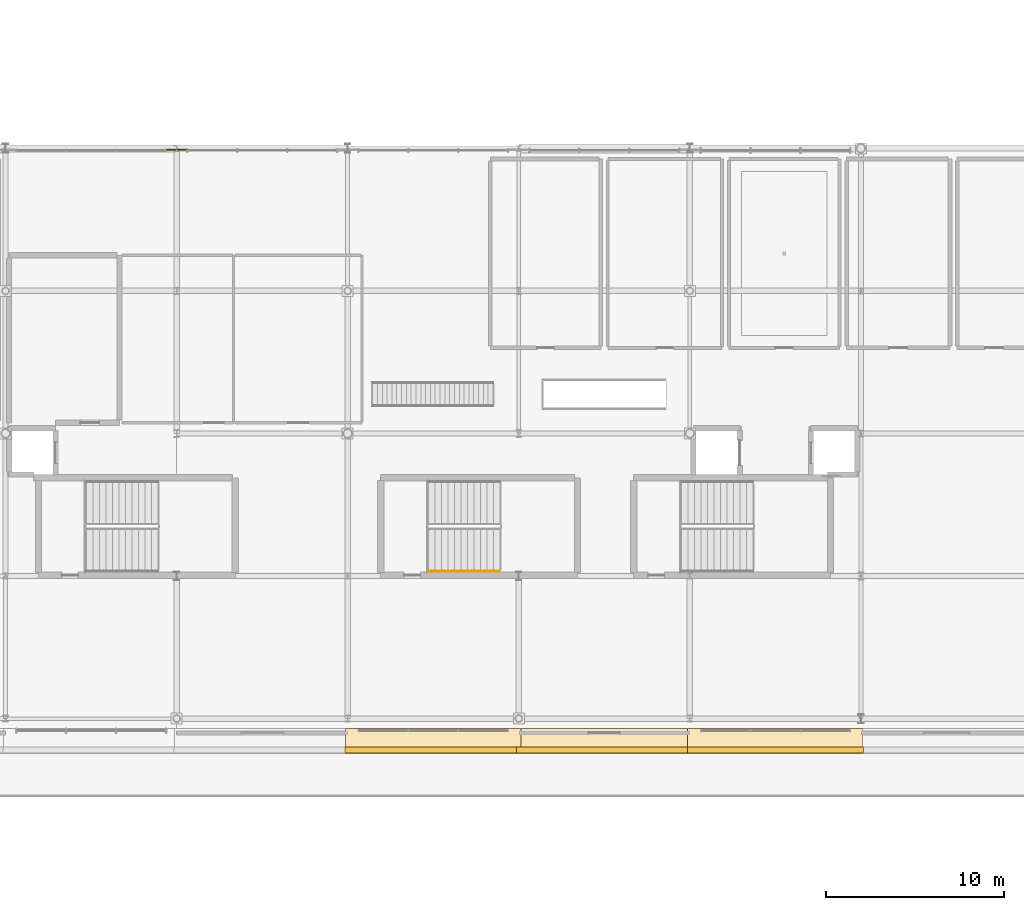
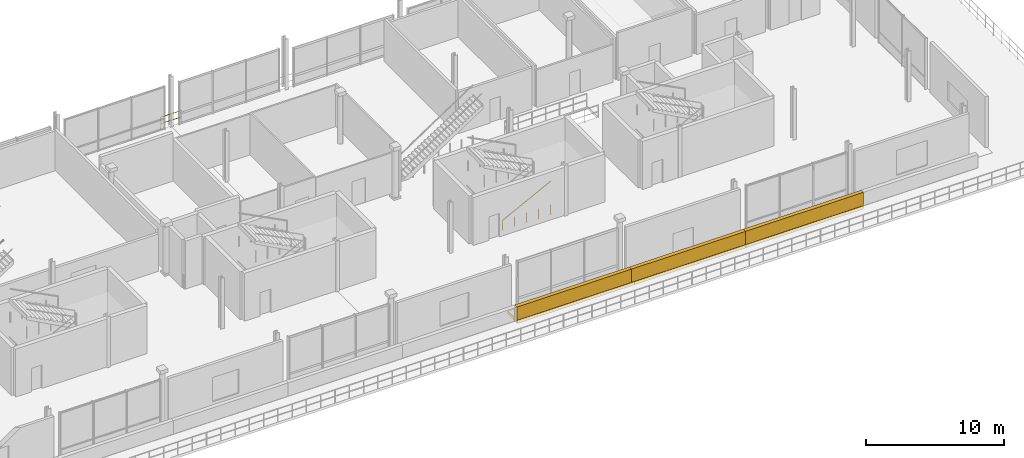
# One storey, part 33 of 36: 6 coverings, 2 railings.
"""IFC4 building model written with IfcOpenShell, lengths in metres."""

import ifcopenshell
import ifcopenshell.guid

model = None  # the IFC model being written
_history = None  # IfcOwnerHistory: only IFC2X3 demands one
_inside = {}  # id of a spatial element -> (the spatial element, [elements in it])
_under = {}  # id of a project, library or spatial element -> (it, [spatial elements below it])
_declared = {}  # id of a project -> (the project, [libraries it declares])
_typed = {}  # id of a type object -> (the type object, [elements of that type])
_made_of = {}  # id of a material, layer set ... -> (it, [elements and type objects made of it])


def new_model(schema):
    """Start an empty IFC model of exactly this schema.

    Asked for "IFC4X3", IfcOpenShell would pick the latest addendum, in which some entities
    have other attributes; the version numbers below select the first issue.
    IFC2X3 requires an IfcOwnerHistory on every rooted entity: one is made here for all.
    """
    global model, _history
    if schema == "IFC4X3":
        model = ifcopenshell.file(schema_version=(4, 3, 0, 0))
    else:
        model = ifcopenshell.file(schema=schema)
    _inside.clear()
    _under.clear()
    _declared.clear()
    _typed.clear()
    _made_of.clear()
    _history = None
    if model.schema == "IFC2X3":
        org = make("IfcOrganization", Name="unknown")
        user = make(
            "IfcPersonAndOrganization",
            ThePerson=make("IfcPerson", FamilyName="unknown"),
            TheOrganization=org,
        )
        app = make(
            "IfcApplication",
            ApplicationDeveloper=org,
            Version="unknown",
            ApplicationFullName="unknown",
            ApplicationIdentifier="unknown",
        )
        _history = make(
            "IfcOwnerHistory",
            OwningUser=user,
            OwningApplication=app,
            ChangeAction="ADDED",
            CreationDate=0,
        )
    return model


def make(cls, **values):
    """One entity of the class cls with the attributes given. An attribute that is None is left unset."""
    return model.create_entity(
        cls, **{name: value for name, value in values.items() if value is not None}
    )


def rooted(cls, **values):
    """An entity with a GlobalId (a new one), such as an element, a storey or a relation."""
    return make(cls, GlobalId=ifcopenshell.guid.new(), OwnerHistory=_history, **values)


def si_unit(unit_type, name, prefix=None):
    """IfcSIUnit, for example si_unit("LENGTHUNIT", "METRE", prefix="MILLI")."""
    return make("IfcSIUnit", UnitType=unit_type, Prefix=prefix, Name=name)


def assignment(units):
    """IfcUnitAssignment: the units of a project."""
    return None if units is None else make("IfcUnitAssignment", Units=units)


def point(xyz):
    """IfcCartesianPoint."""
    return None if xyz is None else make("IfcCartesianPoint", Coordinates=xyz)


def direction(xyz):
    """IfcDirection."""
    return None if xyz is None else make("IfcDirection", DirectionRatios=xyz)


def frame(location, z_axis=None, x_axis=None):
    """IfcAxis2Placement3D, a coordinate frame: its origin and axes. An axis left out is left unset."""
    return make(
        "IfcAxis2Placement3D",
        Location=point(location),
        Axis=direction(z_axis),
        RefDirection=direction(x_axis),
    )


def frame_2d(location, x_axis=None):
    """IfcAxis2Placement2D, a coordinate frame in the plane: its origin and x axis."""
    return make(
        "IfcAxis2Placement2D", Location=point(location), RefDirection=direction(x_axis)
    )


def origin():
    """The frame at (0, 0, 0) with its axes left unset."""
    return frame((0.0, 0.0, 0.0))


def origin_2d():
    """The frame at (0, 0) in the plane with its x axis left unset."""
    return frame_2d((0.0, 0.0))


def place(relative_to, where):
    """IfcLocalPlacement: puts the frame where relative to a parent placement (None: the world)."""
    return make(
        "IfcLocalPlacement", PlacementRelTo=relative_to, RelativePlacement=where
    )


def context(
    kind, dimensions, precision=None, world=None, true_north=None, identifier=None
):
    """IfcGeometricRepresentationContext, for example the 3D "Model" context."""
    return make(
        "IfcGeometricRepresentationContext",
        ContextIdentifier=identifier,
        ContextType=kind,
        CoordinateSpaceDimension=dimensions,
        Precision=precision,
        WorldCoordinateSystem=world,
        TrueNorth=true_north,
    )


def subcontext(parent, identifier, kind, view, scale=None):
    """IfcGeometricRepresentationSubContext, for example "Body" below "Model"."""
    return make(
        "IfcGeometricRepresentationSubContext",
        ContextIdentifier=identifier,
        ContextType=kind,
        ParentContext=parent,
        TargetScale=scale,
        TargetView=view,
    )


def project(units=None, contexts=None):
    """IfcProject with its units and contexts."""
    return rooted(
        "IfcProject",
        Name="project",
        RepresentationContexts=contexts,
        UnitsInContext=assignment(units),
    )


def spatial(cls, under=None, at=None, **own):
    """A site, building, storey or space (cls), placed at a placement, below another one or the project."""
    s = rooted(cls, ObjectPlacement=at, **own)
    if under is not None:
        _under.setdefault(under.id(), (under, []))[1].append(s)
    return s


def profile(cls, at=None, kind="AREA", **sizes):
    """A parametric profile (cls). Its sizes go by their IFC names, for example OverallWidth=200.0."""
    return make(cls, ProfileType=kind, Position=at, **sizes)


def rectangle(**sizes):
    """IfcRectangleProfileDef."""
    return profile("IfcRectangleProfileDef", **sizes)


def circle(**sizes):
    """IfcCircleProfileDef."""
    return profile("IfcCircleProfileDef", **sizes)


def extrude(swept, where, along, depth):
    """IfcExtrudedAreaSolid: the profile swept, set in the frame where, extruded along a direction by depth."""
    return make(
        "IfcExtrudedAreaSolid",
        SweptArea=swept,
        Position=where,
        ExtrudedDirection=direction(along),
        Depth=depth,
    )


def shape(context_of_items, identifier, shape_type, items):
    """IfcShapeRepresentation: the items that make up one representation, for example the "Body"."""
    return make(
        "IfcShapeRepresentation",
        ContextOfItems=context_of_items,
        RepresentationIdentifier=identifier,
        RepresentationType=shape_type,
        Items=items,
    )


def material(Name=None, Category=None):
    """IfcMaterial."""
    return make("IfcMaterial", Name=Name, Category=Category)


def layer(
    of_material, thickness, ventilated=None, Name=None, Category=None, Priority=None
):
    """IfcMaterialLayer: one layer of a wall or slab, of a material (None: an air gap)."""
    return make(
        "IfcMaterialLayer",
        Material=of_material,
        LayerThickness=thickness,
        IsVentilated=ventilated,
        Name=Name,
        Category=Category,
        Priority=Priority,
    )


def layer_set(layers, Name=None):
    """IfcMaterialLayerSet."""
    return make("IfcMaterialLayerSet", MaterialLayers=layers, LayerSetName=Name)


def made_of(thing, what):
    """Note that an element or type object is made of a material, layer set ...; save() writes the relation."""
    if what is not None:
        _made_of.setdefault(what.id(), (what, []))[1].append(thing)
    return thing


def type_object(cls, material=None, **own):
    """A type object (cls), such as IfcWallType, which elements share."""
    return made_of(rooted(cls, **own), material)


def element(
    cls,
    number,
    at=None,
    inside=None,
    cuts=None,
    type_object=None,
    material=None,
    context=None,
    identifier="Body",
    shape_type=None,
    held_by="IfcProductDefinitionShape",
    body=None,
    shapes=None,
    **own,
):
    """One element of the class cls, such as IfcWall. Its Tag is "e" and its number.

    at: its placement. inside: the storey or other place that contains it. cuts: it is an
    opening in that element (IfcRelVoidsElement). A single representation is given by context,
    identifier, shape_type and body (its items); several are given by shapes. held_by: the class
    of the entity that holds the representations. save() writes the other relations.
    """
    e = rooted(cls, Tag="e%d" % number, ObjectPlacement=at, **own)
    if body is not None:
        shapes = [shape(context, identifier, shape_type, body)]
    if shapes is not None:
        e.Representation = make(held_by, Representations=shapes)
    if inside is not None:
        _inside.setdefault(inside.id(), (inside, []))[1].append(e)
    if cuts is not None:
        rooted(
            "IfcRelVoidsElement", RelatingBuildingElement=cuts, RelatedOpeningElement=e
        )
    if type_object is not None:
        _typed.setdefault(type_object.id(), (type_object, []))[1].append(e)
    return made_of(e, material)


def aggregate(whole, parts):
    """IfcRelAggregates: a whole, such as a stair, and the parts it consists of."""
    return rooted("IfcRelAggregates", RelatingObject=whole, RelatedObjects=parts)


def save(model, path):
    """Write the relations noted so far, then the file.

    IfcRelAggregates (storeys below a building ...), IfcRelContainedInSpatialStructure (elements
    in a storey), IfcRelDefinesByType, IfcRelAssociatesMaterial and IfcRelDeclares: one each for
    every whole, place, type object, material and project.
    """
    for whole, parts in _under.values():
        aggregate(whole, parts)
    for where, things in _inside.values():
        rooted(
            "IfcRelContainedInSpatialStructure",
            RelatedElements=things,
            RelatingStructure=where,
        )
    for kind, things in _typed.values():
        rooted("IfcRelDefinesByType", RelatedObjects=things, RelatingType=kind)
    for what, things in _made_of.values():
        rooted("IfcRelAssociatesMaterial", RelatedObjects=things, RelatingMaterial=what)
    for by, libraries in _declared.values():
        rooted("IfcRelDeclares", RelatingContext=by, RelatedDefinitions=libraries)
    model.write(path)


model = new_model("IFC4")

# Units and contexts
model_context = context("Model", 3, precision=1e-05, world=origin(), true_north=direction((0.0, 1.0)))
body_context = subcontext(model_context, "Body", "Model", "MODEL_VIEW")
ifc_project = project(units=[si_unit("LENGTHUNIT", "METRE"), si_unit("AREAUNIT", "SQUARE_METRE"), si_unit("VOLUMEUNIT", "CUBIC_METRE"), si_unit("PLANEANGLEUNIT", "RADIAN"), si_unit("MASSUNIT", "GRAM", prefix="KILO")], contexts=[model_context])

# Site, building, storey
site_placement = place(None, origin())
site = spatial("IfcSite", under=ifc_project, at=site_placement, CompositionType="ELEMENT")
building_placement = place(site_placement, origin())
building = spatial("IfcBuilding", under=site, at=building_placement, Name="Danafjord Basin Convention Centre", CompositionType="ELEMENT")
storey_placement = place(building_placement, frame((0.0, 0.0, 20.39990234375)))
storey = spatial("IfcBuildingStorey", under=building, at=storey_placement, Name="L04", CompositionType="ELEMENT", Elevation=20.39990234375)

# Coverings
ifc_material_1 = material(Name="Architectural white precast concrete C45/55", Category="concrete")
ifc_layer = layer(ifc_material_1, 0.320068359375)
ifc_layer_set = layer_set([ifc_layer], Name="Architectural white precast concrete C45/55")
covering_type = type_object("IfcCoveringType", Name="COV-BAND-HORIZ", PredefinedType="CLADDING", material=ifc_layer_set)
covering_1_placement = place(storey_placement, frame((72.0, 6.75, -0.27978515625), z_axis=(0.0, 0.0, 1.0), x_axis=(1.0, 0.0, 0.0)))
element("IfcCovering", 1, at=covering_1_placement, inside=storey, type_object=covering_type, Name="L04 stepped horizontal band soffit plate 44", PredefinedType="CLADDING", context=body_context, shape_type="SweptSolid", body=[
    extrude(rectangle(XDim=9.840087890625, YDim=1.39990234375, at=origin_2d()), origin(), (0.0, 0.0, 1.0), 0.280029296875),
])
covering_2_placement = place(storey_placement, frame((72.0, 6.239990234375, -0.23974609375), z_axis=(0.0, 0.0, 1.0), x_axis=(1.0, 0.0, 0.0)))
element("IfcCovering", 2, at=covering_2_placement, inside=storey, type_object=covering_type, Name="L04 layered horizontal white spandrel band 44", PredefinedType="CLADDING", context=body_context, shape_type="SweptSolid", body=[
    extrude(rectangle(XDim=9.8798828125, YDim=0.320068359375, at=origin_2d()), origin(), (0.0, 0.0, 1.0), 1.419921875),
])
covering_3_placement = place(storey_placement, frame((81.60009765625, 6.75, -0.27978515625), z_axis=(0.0, 0.0, 1.0), x_axis=(1.0, 0.0, 0.0)))
element("IfcCovering", 3, at=covering_3_placement, inside=storey, type_object=covering_type, Name="L04 stepped horizontal band soffit plate 45", PredefinedType="CLADDING", context=body_context, shape_type="SweptSolid", body=[
    extrude(rectangle(XDim=9.840087890625, YDim=1.39990234375, at=origin_2d()), origin(), (0.0, 0.0, 1.0), 0.280029296875),
])
covering_4_placement = place(storey_placement, frame((81.60009765625, 6.239990234375, -0.23974609375), z_axis=(0.0, 0.0, 1.0), x_axis=(1.0, 0.0, 0.0)))
element("IfcCovering", 4, at=covering_4_placement, inside=storey, type_object=covering_type, Name="L04 layered horizontal white spandrel band 45", PredefinedType="CLADDING", context=body_context, shape_type="SweptSolid", body=[
    extrude(rectangle(XDim=9.8798828125, YDim=0.320068359375, at=origin_2d()), origin(), (0.0, 0.0, 1.0), 1.419921875),
])
covering_5_placement = place(storey_placement, frame((91.199951171875, 6.75, -0.27978515625), z_axis=(0.0, 0.0, 1.0), x_axis=(1.0, 0.0, 0.0)))
element("IfcCovering", 5, at=covering_5_placement, inside=storey, type_object=covering_type, Name="L04 stepped horizontal band soffit plate 46", PredefinedType="CLADDING", context=body_context, shape_type="SweptSolid", body=[
    extrude(rectangle(XDim=9.840087890625, YDim=1.39990234375, at=origin_2d()), origin(), (0.0, 0.0, 1.0), 0.280029296875),
])
covering_6_placement = place(storey_placement, frame((91.199951171875, 6.239990234375, -0.23974609375), z_axis=(0.0, 0.0, 1.0), x_axis=(1.0, 0.0, 0.0)))
element("IfcCovering", 6, at=covering_6_placement, inside=storey, type_object=covering_type, Name="L04 layered horizontal white spandrel band 46", PredefinedType="CLADDING", context=body_context, shape_type="SweptSolid", body=[
    extrude(rectangle(XDim=9.8798828125, YDim=0.320068359375, at=origin_2d()), origin(), (0.0, 0.0, 1.0), 1.419921875),
])

# Railings
ifc_material_2 = material(Name="Laminated structural glass and stainless steel", Category="steel")
railing_type_1 = type_object("IfcRailingType", Name="RL-BAL-GLS", PredefinedType="BALUSTRADE", material=ifc_material_2)
railing_1_placement = place(storey_placement, frame((56.719970703125, 39.919921875, 0.0)))
element("IfcRailing", 7, at=railing_1_placement, inside=storey, type_object=railing_type_1, Name="L04 safety guard balustrade 283", PredefinedType="BALUSTRADE", context=body_context, shape_type="SweptSolid", body=[
    extrude(circle(Radius=0.02392578125, at=origin_2d()), frame((0.0, 0.0, 1.1259765625), z_axis=(1.0, 0.0, 0.0), x_axis=(0.0, 1.0, 0.0)), (0.0, 0.0, 1.0), 1.760009765625),
    extrude(circle(Radius=0.02392578125, at=origin_2d()), frame((0.0, 0.0, 0.55078125), z_axis=(1.0, 0.0, 0.0), x_axis=(0.0, 1.0, 0.0)), (0.0, 0.0, 1.0), 1.760009765625),
    extrude(circle(Radius=0.02099609375, at=origin_2d()), origin(), (0.0, 0.0, 1.0), 1.099853515625),
    extrude(circle(Radius=0.02099609375, at=origin_2d()), frame((0.8798828125, 0.0, 0.0)), (0.0, 0.0, 1.0), 1.099853515625),
    extrude(circle(Radius=0.02099609375, at=origin_2d()), frame((1.760009765625, 0.0, 0.0)), (0.0, 0.0, 1.0), 1.099853515625),
])
ifc_material_3 = material(Name="Brushed stainless steel EN 1.4404", Category="steel")
railing_type_2 = type_object("IfcRailingType", Name="RL-HR-STAIR", PredefinedType="HANDRAIL", material=ifc_material_3)
railing_2_placement = place(storey_placement, frame((71.72998046875, 16.260009765625, 0.1875)))
element("IfcRailing", 8, at=railing_2_placement, inside=storey, type_object=railing_type_2, Name="L04 ST-06 stair handrail 1", PredefinedType="HANDRAIL", context=body_context, shape_type="SweptSolid", body=[
    extrude(circle(Radius=0.02392578125, at=origin_2d()), frame((0.0, 0.0, 0.8759765625), z_axis=(0.889506420944, 0.0, 0.45692267081), x_axis=(0.0, 1.0, 0.0)), (0.0, 0.0, 1.0), 4.513916015625),
    extrude(circle(Radius=0.02099609375, at=origin_2d()), origin(), (0.0, 0.0, 1.0), 0.849853515625),
    extrude(circle(Radius=0.02099609375, at=origin_2d()), frame((1.00390625, 0.0, 0.0)), (0.0, 0.0, 1.0), 0.849853515625),
    extrude(circle(Radius=0.02099609375, at=origin_2d()), frame((2.007568359375, 0.0, 0.0)), (0.0, 0.0, 1.0), 0.849853515625),
    extrude(circle(Radius=0.02099609375, at=origin_2d()), frame((3.01123046875, 0.0, 0.0)), (0.0, 0.0, 1.0), 0.849853515625),
    extrude(circle(Radius=0.02099609375, at=origin_2d()), frame((4.01513671875, 0.0, 0.0)), (0.0, 0.0, 1.0), 0.849853515625),
])

save(model, "model.ifc")
